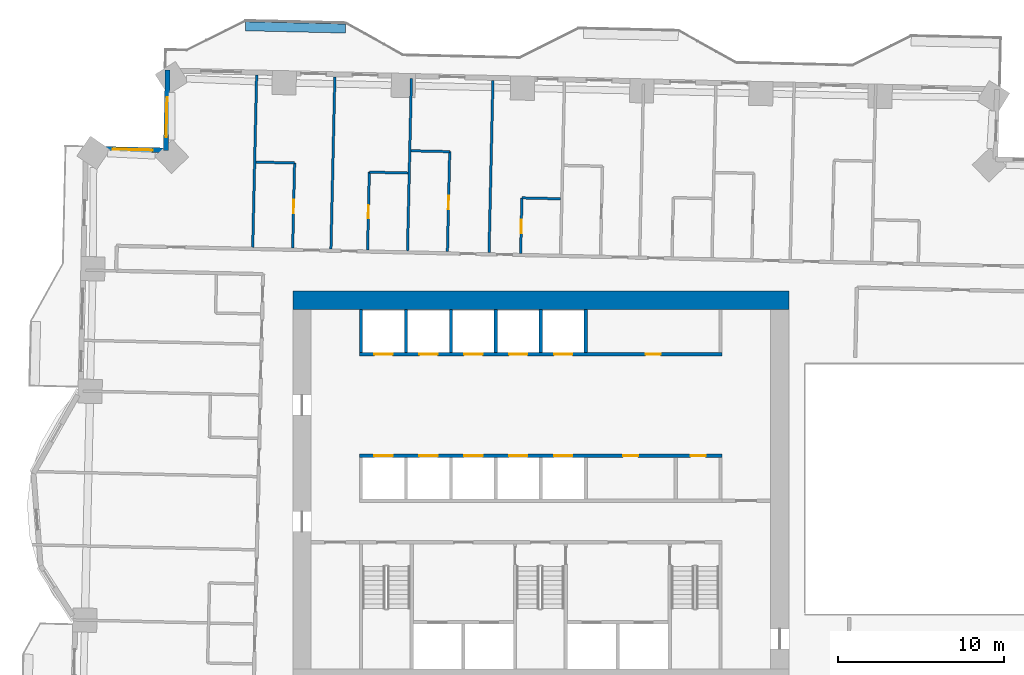
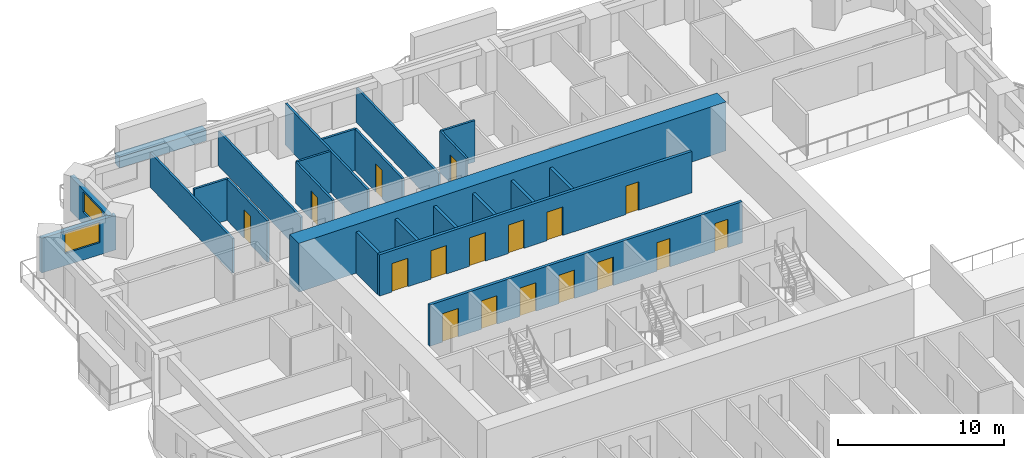
# One storey, part 11 of 18: 24 walls, 17 doors, 2 windows, 19 openings.
"""IFC4 building model written with IfcOpenShell, lengths in metres."""

from ifc_helpers import new_model, si_unit, direction, frame, frame_2d, origin, place, context, subcontext, project, spatial, rectangle, extrude, material, layer, layer_set, type_object, element, fill, save


model = new_model("IFC4")

# Units and contexts
model_context = context("Model", 3, precision=1e-05, world=origin(), true_north=direction((0.0, 1.0)))
body_context = subcontext(model_context, "Body", "Model", "MODEL_VIEW")
ifc_project = project(units=[si_unit("LENGTHUNIT", "METRE"), si_unit("AREAUNIT", "SQUARE_METRE"), si_unit("VOLUMEUNIT", "CUBIC_METRE"), si_unit("PLANEANGLEUNIT", "RADIAN"), si_unit("MASSUNIT", "GRAM", prefix="KILO")], contexts=[model_context])

# Site, building, storey
site_placement = place(None, origin())
site = spatial("IfcSite", under=ifc_project, at=site_placement, CompositionType="ELEMENT")
building_placement = place(site_placement, origin())
building = spatial("IfcBuilding", under=site, at=building_placement, Name="Mangrove Gate Tower", CompositionType="ELEMENT")
storey_placement = place(building_placement, frame((0.0, 0.0, 71.10009765625)))
storey = spatial("IfcBuildingStorey", under=building, at=storey_placement, Name="L17", CompositionType="ELEMENT", Elevation=71.10009765625)

# Wall, openings, doors
ifc_material_1 = material(Name="Concrete C70/85", Category="concrete")
ifc_layer_1 = layer(ifc_material_1, 0.199951171875)
ifc_layer_set_1 = layer_set([ifc_layer_1], Name="Core shaft wall 200 C70/85")
wall_type_1 = type_object("IfcWallType", Name="Core shaft wall 200 C70/85", PredefinedType="SHEAR", material=ifc_layer_set_1)
wall_1_placement = place(storey_placement, frame((-10.89990234375, 2.0, 0.0), z_axis=(0.0, 0.0, 1.0), x_axis=(1.0, 0.0, 0.0)))
wall_1 = element("IfcWall", 1, at=wall_1_placement, inside=storey, type_object=wall_type_1, Name="WALL-L17-CORE-7", PredefinedType="SHEAR", context=body_context, shape_type="SweptSolid", body=[
    extrude(rectangle(XDim=21.7998046875, YDim=0.199951171875, at=frame_2d((10.89990234375, 0.0))), origin(), (0.0, 0.0, 1.0), 3.0498046875),
])
opening_1_placement = place(wall_1_placement, frame((0.89990234375, 0.0, 0.0)))
opening_1 = element("IfcOpeningElement", 2, at=opening_1_placement, cuts=wall_1, Name="Opening LD", PredefinedType="OPENING", context=body_context, shape_type="SweptSolid", body=[
    extrude(rectangle(XDim=1.10009765625, YDim=2.10009765625, at=frame_2d((0.550048828125, 1.050048828125))), frame((0.0, 0.10986328125, 0.0), z_axis=(0.0, -1.0, 0.0), x_axis=(1.0, 0.0, 0.0)), (0.0, 0.0, 1.0), 0.219970703125),
])
opening_2_placement = place(wall_1_placement, frame((3.60009765625, 0.0, 0.0)))
opening_2 = element("IfcOpeningElement", 3, at=opening_2_placement, cuts=wall_1, Name="Opening LD", PredefinedType="OPENING", context=body_context, shape_type="SweptSolid", body=[
    extrude(rectangle(XDim=1.10009765625, YDim=2.10009765625, at=frame_2d((0.550048828125, 1.050048828125))), frame((0.0, 0.10986328125, 0.0), z_axis=(0.0, -1.0, 0.0), x_axis=(1.0, 0.0, 0.0)), (0.0, 0.0, 1.0), 0.219970703125),
])
opening_3_placement = place(wall_1_placement, frame((6.300048828125, 0.0, 0.0)))
opening_3 = element("IfcOpeningElement", 4, at=opening_3_placement, cuts=wall_1, Name="Opening LD", PredefinedType="OPENING", context=body_context, shape_type="SweptSolid", body=[
    extrude(rectangle(XDim=1.10009765625, YDim=2.10009765625, at=frame_2d((0.550048828125, 1.050048828125))), frame((0.0, 0.10986328125, 0.0), z_axis=(0.0, -1.0, 0.0), x_axis=(1.0, 0.0, 0.0)), (0.0, 0.0, 1.0), 0.219970703125),
])
opening_4_placement = place(wall_1_placement, frame((9.0, 0.0, 0.0)))
opening_4 = element("IfcOpeningElement", 5, at=opening_4_placement, cuts=wall_1, Name="Opening LD", PredefinedType="OPENING", context=body_context, shape_type="SweptSolid", body=[
    extrude(rectangle(XDim=1.10009765625, YDim=2.10009765625, at=frame_2d((0.550048828125, 1.050048828125))), frame((0.0, 0.10986328125, 0.0), z_axis=(0.0, -1.0, 0.0), x_axis=(1.0, 0.0, 0.0)), (0.0, 0.0, 1.0), 0.219970703125),
])
opening_5_placement = place(wall_1_placement, frame((11.699951171875, 0.0, 0.0)))
opening_5 = element("IfcOpeningElement", 6, at=opening_5_placement, cuts=wall_1, Name="Opening LD", PredefinedType="OPENING", context=body_context, shape_type="SweptSolid", body=[
    extrude(rectangle(XDim=1.10009765625, YDim=2.10009765625, at=frame_2d((0.550048828125, 1.050048828125))), frame((0.0, 0.10986328125, 0.0), z_axis=(0.0, -1.0, 0.0), x_axis=(1.0, 0.0, 0.0)), (0.0, 0.0, 1.0), 0.219970703125),
])
opening_6_placement = place(wall_1_placement, frame((15.85009765625, 0.0, 0.0)))
opening_6 = element("IfcOpeningElement", 7, at=opening_6_placement, cuts=wall_1, Name="Opening KD", PredefinedType="OPENING", context=body_context, shape_type="SweptSolid", body=[
    extrude(rectangle(XDim=0.89990234375, YDim=2.10009765625, at=frame_2d((0.449951171875, 1.050048828125))), frame((0.0, 0.10986328125, 0.0), z_axis=(0.0, -1.0, 0.0), x_axis=(1.0, 0.0, 0.0)), (0.0, 0.0, 1.0), 0.219970703125),
])
opening_7_placement = place(wall_1_placement, frame((19.89990234375, 0.0, 0.0)))
opening_7 = element("IfcOpeningElement", 8, at=opening_7_placement, cuts=wall_1, Name="Opening RD", PredefinedType="OPENING", context=body_context, shape_type="SweptSolid", body=[
    extrude(rectangle(XDim=0.89990234375, YDim=2.10009765625, at=frame_2d((0.449951171875, 1.050048828125))), frame((0.0, 0.10986328125, 0.0), z_axis=(0.0, -1.0, 0.0), x_axis=(1.0, 0.0, 0.0)), (0.0, 0.0, 1.0), 0.219970703125),
])
ifc_material_2 = material(Name="Fire-rated steel door set", Category="steel")
door_type_1 = type_object("IfcDoorType", Name="Core room door FD30S 900x2100", OperationType="SINGLE_SWING_RIGHT", PredefinedType="DOOR", material=ifc_material_2)
door_1_placement = place(opening_6_placement, origin())
door_1 = element("IfcDoor", 9, at=door_1_placement, inside=storey, type_object=door_type_1, Name="Core room door Linen store", OperationType="SINGLE_SWING_RIGHT", OverallHeight=2.10009765625, OverallWidth=0.89990234375, PredefinedType="DOOR", context=body_context, shape_type="SweptSolid", body=[
    extrude(rectangle(XDim=0.89990234375, YDim=2.10009765625, at=frame_2d((0.449951171875, 1.050048828125))), frame((0.0, 0.02490234375, 0.0), z_axis=(0.0, -1.0, 0.0), x_axis=(1.0, 0.0, 0.0)), (0.0, 0.0, 1.0), 0.050048828125),
])
fill(opening_6, door_1)
ifc_material_3 = material(Name="Stainless steel 316", Category="steel")
door_type_2 = type_object("IfcDoorType", Name="Lift landing door 1100x2100", OperationType="SLIDING_TO_LEFT", PredefinedType="DOOR", material=ifc_material_3)
door_2_placement = place(opening_1_placement, origin())
door_2 = element("IfcDoor", 10, at=door_2_placement, inside=storey, type_object=door_type_2, Name="Landing door LD P01", OperationType="SLIDING_TO_LEFT", OverallHeight=2.10009765625, OverallWidth=1.10009765625, PredefinedType="DOOR", context=body_context, shape_type="SweptSolid", body=[
    extrude(rectangle(XDim=1.10009765625, YDim=2.10009765625, at=frame_2d((0.550048828125, 1.050048828125))), frame((0.0, 0.02490234375, 0.0), z_axis=(0.0, -1.0, 0.0), x_axis=(1.0, 0.0, 0.0)), (0.0, 0.0, 1.0), 0.050048828125),
])
fill(opening_1, door_2)
door_3_placement = place(opening_2_placement, origin())
door_3 = element("IfcDoor", 11, at=door_3_placement, inside=storey, type_object=door_type_2, Name="Landing door LD P02", OperationType="SLIDING_TO_LEFT", OverallHeight=2.10009765625, OverallWidth=1.10009765625, PredefinedType="DOOR", context=body_context, shape_type="SweptSolid", body=[
    extrude(rectangle(XDim=1.10009765625, YDim=2.10009765625, at=frame_2d((0.550048828125, 1.050048828125))), frame((0.0, 0.02490234375, 0.0), z_axis=(0.0, -1.0, 0.0), x_axis=(1.0, 0.0, 0.0)), (0.0, 0.0, 1.0), 0.050048828125),
])
fill(opening_2, door_3)
door_4_placement = place(opening_3_placement, origin())
door_4 = element("IfcDoor", 12, at=door_4_placement, inside=storey, type_object=door_type_2, Name="Landing door LD P03", OperationType="SLIDING_TO_LEFT", OverallHeight=2.10009765625, OverallWidth=1.10009765625, PredefinedType="DOOR", context=body_context, shape_type="SweptSolid", body=[
    extrude(rectangle(XDim=1.10009765625, YDim=2.10009765625, at=frame_2d((0.550048828125, 1.050048828125))), frame((0.0, 0.02490234375, 0.0), z_axis=(0.0, -1.0, 0.0), x_axis=(1.0, 0.0, 0.0)), (0.0, 0.0, 1.0), 0.050048828125),
])
fill(opening_3, door_4)
door_5_placement = place(opening_4_placement, origin())
door_5 = element("IfcDoor", 13, at=door_5_placement, inside=storey, type_object=door_type_2, Name="Landing door LD P04", OperationType="SLIDING_TO_LEFT", OverallHeight=2.10009765625, OverallWidth=1.10009765625, PredefinedType="DOOR", context=body_context, shape_type="SweptSolid", body=[
    extrude(rectangle(XDim=1.10009765625, YDim=2.10009765625, at=frame_2d((0.550048828125, 1.050048828125))), frame((0.0, 0.02490234375, 0.0), z_axis=(0.0, -1.0, 0.0), x_axis=(1.0, 0.0, 0.0)), (0.0, 0.0, 1.0), 0.050048828125),
])
fill(opening_4, door_5)
door_6_placement = place(opening_5_placement, origin())
door_6 = element("IfcDoor", 14, at=door_6_placement, inside=storey, type_object=door_type_2, Name="Landing door LD P05", OperationType="SLIDING_TO_LEFT", OverallHeight=2.10009765625, OverallWidth=1.10009765625, PredefinedType="DOOR", context=body_context, shape_type="SweptSolid", body=[
    extrude(rectangle(XDim=1.10009765625, YDim=2.10009765625, at=frame_2d((0.550048828125, 1.050048828125))), frame((0.0, 0.02490234375, 0.0), z_axis=(0.0, -1.0, 0.0), x_axis=(1.0, 0.0, 0.0)), (0.0, 0.0, 1.0), 0.050048828125),
])
fill(opening_5, door_6)
ifc_material_4 = material(Name="Fire-rated steel door set", Category="steel")
door_type_3 = type_object("IfcDoorType", Name="Riser door FD30S 900x2100", OperationType="SINGLE_SWING_LEFT", PredefinedType="DOOR", material=ifc_material_4)
door_7_placement = place(opening_7_placement, origin())
door_7 = element("IfcDoor", 15, at=door_7_placement, inside=storey, type_object=door_type_3, Name="Riser door Switch room", OperationType="SINGLE_SWING_LEFT", OverallHeight=2.10009765625, OverallWidth=0.89990234375, PredefinedType="DOOR", context=body_context, shape_type="SweptSolid", body=[
    extrude(rectangle(XDim=0.89990234375, YDim=2.10009765625, at=frame_2d((0.449951171875, 1.050048828125))), frame((0.0, 0.02490234375, 0.0), z_axis=(0.0, -1.0, 0.0), x_axis=(1.0, 0.0, 0.0)), (0.0, 0.0, 1.0), 0.050048828125),
])
fill(opening_7, door_7)

wall_2_placement = place(storey_placement, frame((-10.89990234375, 8.10009765625, 0.0), z_axis=(0.0, 0.0, 1.0), x_axis=(1.0, 0.0, 0.0)))
wall_2 = element("IfcWall", 16, at=wall_2_placement, inside=storey, type_object=wall_type_1, Name="WALL-L17-CORE-8", PredefinedType="SHEAR", context=body_context, shape_type="SweptSolid", body=[
    extrude(rectangle(XDim=21.7998046875, YDim=0.199951171875, at=frame_2d((10.89990234375, 0.0))), origin(), (0.0, 0.0, 1.0), 3.0498046875),
])
opening_8_placement = place(wall_2_placement, frame((0.89990234375, 0.0, 0.0)))
opening_8 = element("IfcOpeningElement", 17, at=opening_8_placement, cuts=wall_2, Name="Opening LD", PredefinedType="OPENING", context=body_context, shape_type="SweptSolid", body=[
    extrude(rectangle(XDim=1.10009765625, YDim=2.10009765625, at=frame_2d((0.550048828125, 1.050048828125))), frame((0.0, 0.10986328125, 0.0), z_axis=(0.0, -1.0, 0.0), x_axis=(1.0, 0.0, 0.0)), (0.0, 0.0, 1.0), 0.219970703125),
])
opening_9_placement = place(wall_2_placement, frame((3.60009765625, 0.0, 0.0)))
opening_9 = element("IfcOpeningElement", 18, at=opening_9_placement, cuts=wall_2, Name="Opening LD", PredefinedType="OPENING", context=body_context, shape_type="SweptSolid", body=[
    extrude(rectangle(XDim=1.10009765625, YDim=2.10009765625, at=frame_2d((0.550048828125, 1.050048828125))), frame((0.0, 0.10986328125, 0.0), z_axis=(0.0, -1.0, 0.0), x_axis=(1.0, 0.0, 0.0)), (0.0, 0.0, 1.0), 0.219970703125),
])
opening_10_placement = place(wall_2_placement, frame((6.300048828125, 0.0, 0.0)))
opening_10 = element("IfcOpeningElement", 19, at=opening_10_placement, cuts=wall_2, Name="Opening LD", PredefinedType="OPENING", context=body_context, shape_type="SweptSolid", body=[
    extrude(rectangle(XDim=1.10009765625, YDim=2.10009765625, at=frame_2d((0.550048828125, 1.050048828125))), frame((0.0, 0.10986328125, 0.0), z_axis=(0.0, -1.0, 0.0), x_axis=(1.0, 0.0, 0.0)), (0.0, 0.0, 1.0), 0.219970703125),
])
opening_11_placement = place(wall_2_placement, frame((9.0, 0.0, 0.0)))
opening_11 = element("IfcOpeningElement", 20, at=opening_11_placement, cuts=wall_2, Name="Opening LD", PredefinedType="OPENING", context=body_context, shape_type="SweptSolid", body=[
    extrude(rectangle(XDim=1.10009765625, YDim=2.10009765625, at=frame_2d((0.550048828125, 1.050048828125))), frame((0.0, 0.10986328125, 0.0), z_axis=(0.0, -1.0, 0.0), x_axis=(1.0, 0.0, 0.0)), (0.0, 0.0, 1.0), 0.219970703125),
])
opening_12_placement = place(wall_2_placement, frame((11.699951171875, 0.0, 0.0)))
opening_12 = element("IfcOpeningElement", 21, at=opening_12_placement, cuts=wall_2, Name="Opening LD", PredefinedType="OPENING", context=body_context, shape_type="SweptSolid", body=[
    extrude(rectangle(XDim=1.10009765625, YDim=2.10009765625, at=frame_2d((0.550048828125, 1.050048828125))), frame((0.0, 0.10986328125, 0.0), z_axis=(0.0, -1.0, 0.0), x_axis=(1.0, 0.0, 0.0)), (0.0, 0.0, 1.0), 0.219970703125),
])
opening_13_placement = place(wall_2_placement, frame((17.199951171875, 0.0, 0.0)))
opening_13 = element("IfcOpeningElement", 22, at=opening_13_placement, cuts=wall_2, Name="Opening RD", PredefinedType="OPENING", context=body_context, shape_type="SweptSolid", body=[
    extrude(rectangle(XDim=0.89990234375, YDim=2.10009765625, at=frame_2d((0.449951171875, 1.050048828125))), frame((0.0, 0.10986328125, 0.0), z_axis=(0.0, -1.0, 0.0), x_axis=(1.0, 0.0, 0.0)), (0.0, 0.0, 1.0), 0.219970703125),
])
door_8_placement = place(opening_8_placement, origin())
door_8 = element("IfcDoor", 23, at=door_8_placement, inside=storey, type_object=door_type_2, Name="Landing door LD P06", OperationType="SLIDING_TO_LEFT", OverallHeight=2.10009765625, OverallWidth=1.10009765625, PredefinedType="DOOR", context=body_context, shape_type="SweptSolid", body=[
    extrude(rectangle(XDim=1.10009765625, YDim=2.10009765625, at=frame_2d((0.550048828125, 1.050048828125))), frame((0.0, 0.02490234375, 0.0), z_axis=(0.0, -1.0, 0.0), x_axis=(1.0, 0.0, 0.0)), (0.0, 0.0, 1.0), 0.050048828125),
])
fill(opening_8, door_8)
door_9_placement = place(opening_9_placement, origin())
door_9 = element("IfcDoor", 24, at=door_9_placement, inside=storey, type_object=door_type_2, Name="Landing door LD P07", OperationType="SLIDING_TO_LEFT", OverallHeight=2.10009765625, OverallWidth=1.10009765625, PredefinedType="DOOR", context=body_context, shape_type="SweptSolid", body=[
    extrude(rectangle(XDim=1.10009765625, YDim=2.10009765625, at=frame_2d((0.550048828125, 1.050048828125))), frame((0.0, 0.02490234375, 0.0), z_axis=(0.0, -1.0, 0.0), x_axis=(1.0, 0.0, 0.0)), (0.0, 0.0, 1.0), 0.050048828125),
])
fill(opening_9, door_9)
door_10_placement = place(opening_10_placement, origin())
door_10 = element("IfcDoor", 25, at=door_10_placement, inside=storey, type_object=door_type_2, Name="Landing door LD P08", OperationType="SLIDING_TO_LEFT", OverallHeight=2.10009765625, OverallWidth=1.10009765625, PredefinedType="DOOR", context=body_context, shape_type="SweptSolid", body=[
    extrude(rectangle(XDim=1.10009765625, YDim=2.10009765625, at=frame_2d((0.550048828125, 1.050048828125))), frame((0.0, 0.02490234375, 0.0), z_axis=(0.0, -1.0, 0.0), x_axis=(1.0, 0.0, 0.0)), (0.0, 0.0, 1.0), 0.050048828125),
])
fill(opening_10, door_10)
door_11_placement = place(opening_11_placement, origin())
door_11 = element("IfcDoor", 26, at=door_11_placement, inside=storey, type_object=door_type_2, Name="Landing door LD P09", OperationType="SLIDING_TO_LEFT", OverallHeight=2.10009765625, OverallWidth=1.10009765625, PredefinedType="DOOR", context=body_context, shape_type="SweptSolid", body=[
    extrude(rectangle(XDim=1.10009765625, YDim=2.10009765625, at=frame_2d((0.550048828125, 1.050048828125))), frame((0.0, 0.02490234375, 0.0), z_axis=(0.0, -1.0, 0.0), x_axis=(1.0, 0.0, 0.0)), (0.0, 0.0, 1.0), 0.050048828125),
])
fill(opening_11, door_11)
door_12_placement = place(opening_12_placement, origin())
door_12 = element("IfcDoor", 27, at=door_12_placement, inside=storey, type_object=door_type_2, Name="Landing door LD P10", OperationType="SLIDING_TO_LEFT", OverallHeight=2.10009765625, OverallWidth=1.10009765625, PredefinedType="DOOR", context=body_context, shape_type="SweptSolid", body=[
    extrude(rectangle(XDim=1.10009765625, YDim=2.10009765625, at=frame_2d((0.550048828125, 1.050048828125))), frame((0.0, 0.02490234375, 0.0), z_axis=(0.0, -1.0, 0.0), x_axis=(1.0, 0.0, 0.0)), (0.0, 0.0, 1.0), 0.050048828125),
])
fill(opening_12, door_12)
door_13_placement = place(opening_13_placement, origin())
door_13 = element("IfcDoor", 28, at=door_13_placement, inside=storey, type_object=door_type_3, Name="Riser door Comms room", OperationType="SINGLE_SWING_LEFT", OverallHeight=2.10009765625, OverallWidth=0.89990234375, PredefinedType="DOOR", context=body_context, shape_type="SweptSolid", body=[
    extrude(rectangle(XDim=0.89990234375, YDim=2.10009765625, at=frame_2d((0.449951171875, 1.050048828125))), frame((0.0, 0.02490234375, 0.0), z_axis=(0.0, -1.0, 0.0), x_axis=(1.0, 0.0, 0.0)), (0.0, 0.0, 1.0), 0.050048828125),
])
fill(opening_13, door_13)

# Walls
for number, where, z_axis, x_axis, name in (
    (29, (-10.800048828125, 8.199951171875, 0.0), (0.0, 0.0, 1.0), (0.0, 1.0, 0.0), "WALL-L17-CORE-27"),
    (30, (-8.10009765625, 8.199951171875, 0.0), (0.0, 0.0, 1.0), (0.0, 1.0, 0.0), "WALL-L17-CORE-28"),
    (31, (-5.39990234375, 8.199951171875, 0.0), (0.0, 0.0, 1.0), (0.0, 1.0, 0.0), "WALL-L17-CORE-29"),
    (32, (-2.699951171875, 8.199951171875, 0.0), (0.0, 0.0, 1.0), (0.0, 1.0, 0.0), "WALL-L17-CORE-30"),
    (33, (0.0, 8.199951171875, 0.0), (0.0, 0.0, 1.0), (0.0, 1.0, 0.0), "WALL-L17-CORE-31"),
    (34, (2.699951171875, 8.199951171875, 0.0), (0.0, 0.0, 1.0), (0.0, 1.0, 0.0), "WALL-L17-CORE-32"),
):
    element("IfcWall", number, at=place(storey_placement, frame(where, z_axis=z_axis, x_axis=x_axis)), inside=storey, type_object=wall_type_1, Name=name, PredefinedType="SHEAR", context=body_context, shape_type="SweptSolid", body=[
        extrude(rectangle(XDim=2.60009765625, YDim=0.199951171875, at=frame_2d((1.300048828125, 0.0))), origin(), (0.0, 0.0, 1.0), 3.0498046875),
    ])
ifc_material_5 = material(Name="Concrete C70/85", Category="concrete")
ifc_layer_2 = layer(ifc_material_5, 1.10009765625)
ifc_layer_set_2 = layer_set([ifc_layer_2], Name="Core wall 1100 C70/85")
wall_type_2 = type_object("IfcWallType", Name="Core wall 1100 C70/85", PredefinedType="SHEAR", material=ifc_layer_set_2)
wall_3_placement = place(storey_placement, frame((-14.89990234375, 11.35009765625, 0.0), z_axis=(0.0, 0.0, 1.0), x_axis=(1.0, 0.0, 0.0)))
element("IfcWall", 35, at=wall_3_placement, inside=storey, type_object=wall_type_2, Name="WALL-L17-CORE-2", PredefinedType="SHEAR", context=body_context, shape_type="SweptSolid", body=[
    extrude(rectangle(XDim=29.7998046875, YDim=1.10009765625, at=frame_2d((14.89990234375, 0.0))), origin(), (0.0, 0.0, 1.0), 3.599853515625),
])

# Wall, opening, window
ifc_material_6 = material(Name="Limestone", Category="masonry")
ifc_layer_3 = layer(ifc_material_6, 0.0400390625, Name="Limestone cladding")
ifc_material_7 = material(Name="Ventilated air gap")
ifc_layer_4 = layer(ifc_material_7, 0.0400390625, Name="Ventilated cavity")
ifc_material_8 = material(Name="Mineral wool insulation")
ifc_layer_5 = layer(ifc_material_8, 0.06005859375, Name="Insulation")
ifc_material_9 = material(Name="Breather membrane")
ifc_layer_6 = layer(ifc_material_9, 0.001953125, Name="Breather membrane")
ifc_material_10 = material(Name="Concrete C20/25 blockwork", Category="masonry")
ifc_layer_7 = layer(ifc_material_10, 0.14990234375, Name="Blockwork backing wall")
ifc_material_11 = material(Name="Gypsum plaster")
ifc_layer_8 = layer(ifc_material_11, 0.008056640625, Name="Internal plaster")
ifc_layer_set_3 = layer_set([ifc_layer_3, ifc_layer_4, ifc_layer_5, ifc_layer_6, ifc_layer_7, ifc_layer_8], Name="External wall 300 limestone cladding")
wall_type_3 = type_object("IfcWallType", Name="External wall 300 limestone cladding", PredefinedType="SOLIDWALL", material=ifc_layer_set_3)
wall_4_placement = place(storey_placement, frame((-22.4150390625, 25.18310546875, 0.0), z_axis=(0.0, 0.0, 1.0), x_axis=(-0.022739771436, -0.999741417965, 0.0)))
wall_4 = element("IfcWall", 36, at=wall_4_placement, inside=storey, type_object=wall_type_3, Name="WALL-L17-W6s1", PredefinedType="SOLIDWALL", context=body_context, shape_type="SweptSolid", body=[
    extrude(rectangle(XDim=4.831298828125, YDim=0.300048828125, at=frame_2d((2.41552734375, 0.0))), origin(), (0.0, 0.0, 1.0), 2.5498046875),
])
opening_14_placement = place(wall_4_placement, frame((1.62890625, 0.0, 0.89990234375)))
opening_14 = element("IfcOpeningElement", 37, at=opening_14_placement, cuts=wall_4, Name="Opening W2", PredefinedType="OPENING", context=body_context, shape_type="SweptSolid", body=[
    extrude(rectangle(XDim=2.39990234375, YDim=1.5, at=frame_2d((1.199951171875, 0.75))), frame((0.0, 0.159912109375, 0.0), z_axis=(0.0, -1.0, 0.0), x_axis=(1.0, 0.0, 0.0)), (0.0, 0.0, 1.0), 0.320068359375),
])
ifc_material_12 = material(Name="Aluminium frame with double-glazed low-e glass", Category="aluminium")
window_type = type_object("IfcWindowType", Name="Corner room window 2400x1500", PartitioningType="DOUBLE_PANEL_VERTICAL", PredefinedType="WINDOW", material=ifc_material_12)
window_1_placement = place(opening_14_placement, origin())
window_1 = element("IfcWindow", 38, at=window_1_placement, inside=storey, type_object=window_type, Name="WIN-L17-W6-1", OverallHeight=1.5, OverallWidth=2.39990234375, PartitioningType="DOUBLE_PANEL_VERTICAL", PredefinedType="WINDOW", context=body_context, shape_type="SweptSolid", body=[
    extrude(rectangle(XDim=2.39990234375, YDim=1.5, at=frame_2d((1.199951171875, 0.75))), frame((0.0, 0.030029296875, 0.0), z_axis=(0.0, -1.0, 0.0), x_axis=(1.0, 0.0, 0.0)), (0.0, 0.0, 1.0), 0.06005859375),
])
fill(opening_14, window_1)

wall_5_placement = place(storey_placement, frame((-22.215087890625, 20.345947265625, 0.0), z_axis=(0.0, 0.0, 1.0), x_axis=(-0.999742476424, 0.022693189157, 0.0)))
wall_5 = element("IfcWall", 39, at=wall_5_placement, inside=storey, type_object=wall_type_3, Name="WALL-L17-N7s1", PredefinedType="SOLIDWALL", context=body_context, shape_type="SweptSolid", body=[
    extrude(rectangle(XDim=5.110107421875, YDim=0.300048828125, at=frame_2d((2.55517578125, 0.0))), origin(), (0.0, 0.0, 1.0), 2.5498046875),
])
opening_15_placement = place(wall_5_placement, frame((1.112060546875, 0.0, 0.89990234375)))
opening_15 = element("IfcOpeningElement", 40, at=opening_15_placement, cuts=wall_5, Name="Opening W2", PredefinedType="OPENING", context=body_context, shape_type="SweptSolid", body=[
    extrude(rectangle(XDim=2.39990234375, YDim=1.5, at=frame_2d((1.199951171875, 0.75))), frame((0.0, 0.159912109375, 0.0), z_axis=(0.0, -1.0, 0.0), x_axis=(1.0, 0.0, 0.0)), (0.0, 0.0, 1.0), 0.320068359375),
])
window_2_placement = place(opening_15_placement, origin())
window_2 = element("IfcWindow", 41, at=window_2_placement, inside=storey, type_object=window_type, Name="WIN-L17-N7-1", OverallHeight=1.5, OverallWidth=2.39990234375, PartitioningType="DOUBLE_PANEL_VERTICAL", PredefinedType="WINDOW", context=body_context, shape_type="SweptSolid", body=[
    extrude(rectangle(XDim=2.39990234375, YDim=1.5, at=frame_2d((1.199951171875, 0.75))), frame((0.0, 0.030029296875, 0.0), z_axis=(0.0, -1.0, 0.0), x_axis=(1.0, 0.0, 0.0)), (0.0, 0.0, 1.0), 0.06005859375),
])
fill(opening_15, window_2)

# Wall
ifc_material_13 = material(Name="Gypsum board on steel stud, EI 60", Category="steel")
ifc_layer_9 = layer(ifc_material_13, 0.14990234375)
ifc_layer_set_4 = layer_set([ifc_layer_9], Name="Party wall 150 EI 60")
wall_type_4 = type_object("IfcWallType", Name="Party wall 150 EI 60", PredefinedType="PARTITIONING", material=ifc_layer_set_4)
wall_6_placement = place(storey_placement, frame((-17.30810546875, 14.532958984375, 0.0), z_axis=(0.0, 0.0, 1.0), x_axis=(0.022713904397, 0.999742005993, 0.0)))
element("IfcWall", 42, at=wall_6_placement, inside=storey, type_object=wall_type_4, Name="WALL-L17-060", PredefinedType="PARTITIONING", context=body_context, shape_type="SweptSolid", body=[
    extrude(rectangle(XDim=10.350830078125, YDim=0.14990234375, at=frame_2d((5.17529296875, 0.0))), origin(), (0.0, 0.0, 1.0), 2.5498046875),
])

# Wall, opening, door
wall_7_placement = place(storey_placement, frame((-14.907958984375, 14.47900390625, 0.0), z_axis=(0.0, 0.0, 1.0), x_axis=(0.02265315592, 0.999743384338, 0.0)))
wall_7 = element("IfcWall", 43, at=wall_7_placement, inside=storey, type_object=wall_type_4, Name="WALL-L17-061", PredefinedType="PARTITIONING", context=body_context, shape_type="SweptSolid", body=[
    extrude(rectangle(XDim=5.119140625, YDim=0.14990234375, at=frame_2d((2.5595703125, 0.0))), origin(), (0.0, 0.0, 1.0), 3.0498046875),
])
opening_16_placement = place(wall_7_placement, frame((2.110107421875, 0.0, 0.0)))
opening_16 = element("IfcOpeningElement", 44, at=opening_16_placement, cuts=wall_7, Name="Opening ED", PredefinedType="OPENING", context=body_context, shape_type="SweptSolid", body=[
    extrude(rectangle(XDim=0.800048828125, YDim=2.10009765625, at=frame_2d((0.39990234375, 1.050048828125))), frame((0.0, 0.0849609375, 0.0), z_axis=(0.0, -1.0, 0.0), x_axis=(1.0, 0.0, 0.0)), (0.0, 0.0, 1.0), 0.169921875),
])
ifc_material_14 = material(Name="Timber door leaf", Category="wood")
door_type_4 = type_object("IfcDoorType", Name="En-suite door 800", OperationType="SINGLE_SWING_LEFT", PredefinedType="DOOR", material=ifc_material_14)
door_14_placement = place(opening_16_placement, origin())
door_14 = element("IfcDoor", 45, at=door_14_placement, inside=storey, type_object=door_type_4, Name="DOOR-L17-ENS-c517", OperationType="SINGLE_SWING_LEFT", OverallHeight=2.10009765625, OverallWidth=0.800048828125, PredefinedType="DOOR", context=body_context, shape_type="SweptSolid", body=[
    extrude(rectangle(XDim=0.800048828125, YDim=2.10009765625, at=frame_2d((0.39990234375, 1.050048828125))), frame((0.0, 0.02490234375, 0.0), z_axis=(0.0, -1.0, 0.0), x_axis=(1.0, 0.0, 0.0)), (0.0, 0.0, 1.0), 0.050048828125),
])
fill(opening_16, door_14)

# Wall
wall_8_placement = place(storey_placement, frame((-12.60888671875, 14.427001953125, 0.0), z_axis=(0.0, 0.0, 1.0), x_axis=(0.022693005506, 0.999742480592, 0.0)))
element("IfcWall", 46, at=wall_8_placement, inside=storey, type_object=wall_type_4, Name="WALL-L17-062", PredefinedType="PARTITIONING", context=body_context, shape_type="SweptSolid", body=[
    extrude(rectangle(XDim=10.349609375, YDim=0.14990234375, at=frame_2d((5.1748046875, 0.0))), origin(), (0.0, 0.0, 1.0), 2.5498046875),
])

# Wall, opening, door
wall_9_placement = place(storey_placement, frame((-10.408935546875, 14.376953125, 0.0), z_axis=(0.0, 0.0, 1.0), x_axis=(0.022483854533, 0.99974720619, 0.0)))
wall_9 = element("IfcWall", 47, at=wall_9_placement, inside=storey, type_object=wall_type_4, Name="WALL-L17-063", PredefinedType="PARTITIONING", context=body_context, shape_type="SweptSolid", body=[
    extrude(rectangle(XDim=4.669189453125, YDim=0.14990234375, at=frame_2d((2.33447265625, 0.0))), origin(), (0.0, 0.0, 1.0), 3.0498046875),
])
opening_17_placement = place(wall_9_placement, frame((1.885009765625, 0.0, 0.0)))
opening_17 = element("IfcOpeningElement", 48, at=opening_17_placement, cuts=wall_9, Name="Opening ED", PredefinedType="OPENING", context=body_context, shape_type="SweptSolid", body=[
    extrude(rectangle(XDim=0.800048828125, YDim=2.10009765625, at=frame_2d((0.39990234375, 1.050048828125))), frame((0.0, 0.0849609375, 0.0), z_axis=(0.0, -1.0, 0.0), x_axis=(1.0, 0.0, 0.0)), (0.0, 0.0, 1.0), 0.169921875),
])
door_15_placement = place(opening_17_placement, origin())
door_15 = element("IfcDoor", 49, at=door_15_placement, inside=storey, type_object=door_type_4, Name="DOOR-L17-ENS-c516", OperationType="SINGLE_SWING_RIGHT", OverallHeight=2.10009765625, OverallWidth=0.800048828125, PredefinedType="DOOR", context=body_context, shape_type="SweptSolid", body=[
    extrude(rectangle(XDim=0.800048828125, YDim=2.10009765625, at=frame_2d((0.39990234375, 1.050048828125))), frame((0.0, 0.02490234375, 0.0), z_axis=(0.0, -1.0, 0.0), x_axis=(1.0, 0.0, 0.0)), (0.0, 0.0, 1.0), 0.050048828125),
])
fill(opening_17, door_15)

# Wall
wall_10_placement = place(storey_placement, frame((-8.010009765625, 14.322021484375, 0.0), z_axis=(0.0, 0.0, 1.0), x_axis=(0.022714440015, 0.999741993824, 0.0)))
element("IfcWall", 50, at=wall_10_placement, inside=storey, type_object=wall_type_4, Name="WALL-L17-064", PredefinedType="PARTITIONING", context=body_context, shape_type="SweptSolid", body=[
    extrude(rectangle(XDim=10.3505859375, YDim=0.14990234375, at=frame_2d((5.17529296875, 0.0))), origin(), (0.0, 0.0, 1.0), 3.0498046875),
])

# Wall, opening, door
wall_11_placement = place(storey_placement, frame((-5.611083984375, 14.26806640625, 0.0), z_axis=(0.0, 0.0, 1.0), x_axis=(0.022791542349, 0.999740239061, 0.0)))
wall_11 = element("IfcWall", 51, at=wall_11_placement, inside=storey, type_object=wall_type_4, Name="WALL-L17-065", PredefinedType="PARTITIONING", context=body_context, shape_type="SweptSolid", body=[
    extrude(rectangle(XDim=6.00927734375, YDim=0.14990234375, at=frame_2d((3.004638671875, 0.0))), origin(), (0.0, 0.0, 1.0), 3.0498046875),
])
opening_18_placement = place(wall_11_placement, frame((2.554931640625, 0.0, 0.0)))
opening_18 = element("IfcOpeningElement", 52, at=opening_18_placement, cuts=wall_11, Name="Opening ED", PredefinedType="OPENING", context=body_context, shape_type="SweptSolid", body=[
    extrude(rectangle(XDim=0.800048828125, YDim=2.10009765625, at=frame_2d((0.39990234375, 1.050048828125))), frame((0.0, 0.0849609375, 0.0), z_axis=(0.0, -1.0, 0.0), x_axis=(1.0, 0.0, 0.0)), (0.0, 0.0, 1.0), 0.169921875),
])
door_16_placement = place(opening_18_placement, origin())
door_16 = element("IfcDoor", 53, at=door_16_placement, inside=storey, type_object=door_type_4, Name="DOOR-L17-ENS-c515", OperationType="SINGLE_SWING_LEFT", OverallHeight=2.10009765625, OverallWidth=0.800048828125, PredefinedType="DOOR", context=body_context, shape_type="SweptSolid", body=[
    extrude(rectangle(XDim=0.800048828125, YDim=2.10009765625, at=frame_2d((0.39990234375, 1.050048828125))), frame((0.0, 0.02490234375, 0.0), z_axis=(0.0, -1.0, 0.0), x_axis=(1.0, 0.0, 0.0)), (0.0, 0.0, 1.0), 0.050048828125),
])
fill(opening_18, door_16)

# Wall
wall_12_placement = place(storey_placement, frame((-3.111083984375, 14.2109375, 0.0), z_axis=(0.0, 0.0, 1.0), x_axis=(0.022621740073, 0.999744095695, 0.0)))
element("IfcWall", 54, at=wall_12_placement, inside=storey, type_object=wall_type_4, Name="WALL-L17-066", PredefinedType="PARTITIONING", context=body_context, shape_type="SweptSolid", body=[
    extrude(rectangle(XDim=10.349853515625, YDim=0.14990234375, at=frame_2d((5.1748046875, 0.0))), origin(), (0.0, 0.0, 1.0), 2.5498046875),
])

# Wall, opening, door
wall_13_placement = place(storey_placement, frame((-1.2119140625, 14.16796875, 0.0), z_axis=(0.0, 0.0, 1.0), x_axis=(0.022801345323, 0.99974001553, 0.0)))
wall_13 = element("IfcWall", 55, at=wall_13_placement, inside=storey, type_object=wall_type_4, Name="WALL-L17-067", PredefinedType="PARTITIONING", context=body_context, shape_type="SweptSolid", body=[
    extrude(rectangle(XDim=3.330078125, YDim=0.14990234375, at=frame_2d((1.6650390625, 0.0))), origin(), (0.0, 0.0, 1.0), 3.0498046875),
])
opening_19_placement = place(wall_13_placement, frame((1.215087890625, 0.0, 0.0)))
opening_19 = element("IfcOpeningElement", 56, at=opening_19_placement, cuts=wall_13, Name="Opening ED", PredefinedType="OPENING", context=body_context, shape_type="SweptSolid", body=[
    extrude(rectangle(XDim=0.800048828125, YDim=2.10009765625, at=frame_2d((0.39990234375, 1.050048828125))), frame((0.0, 0.0849609375, 0.0), z_axis=(0.0, -1.0, 0.0), x_axis=(1.0, 0.0, 0.0)), (0.0, 0.0, 1.0), 0.169921875),
])
door_17_placement = place(opening_19_placement, origin())
door_17 = element("IfcDoor", 57, at=door_17_placement, inside=storey, type_object=door_type_4, Name="DOOR-L17-ENS-c414", OperationType="SINGLE_SWING_RIGHT", OverallHeight=2.10009765625, OverallWidth=0.800048828125, PredefinedType="DOOR", context=body_context, shape_type="SweptSolid", body=[
    extrude(rectangle(XDim=0.800048828125, YDim=2.10009765625, at=frame_2d((0.39990234375, 1.050048828125))), frame((0.0, 0.02490234375, 0.0), z_axis=(0.0, -1.0, 0.0), x_axis=(1.0, 0.0, 0.0)), (0.0, 0.0, 1.0), 0.050048828125),
])
fill(opening_19, door_17)

# Walls
wall_14_placement = place(storey_placement, frame((-1.134033203125, 17.4970703125, 0.0), z_axis=(0.0, 0.0, 1.0), x_axis=(0.999740260747, -0.02279059109, 0.0)))
element("IfcWall", 58, at=wall_14_placement, inside=storey, type_object=wall_type_4, Name="WALL-L17-079", PredefinedType="PARTITIONING", context=body_context, shape_type="SweptSolid", body=[
    extrude(rectangle(XDim=2.324462890625, YDim=0.14990234375, at=frame_2d((1.162109375, 0.0))), origin(), (0.0, 0.0, 1.0), 3.0498046875),
])
for number, where, z_axis, x_axis, name in (
    (59, (-10.302001953125, 19.044921875, 0.0), (0.0, 0.0, 1.0), (0.999749954681, -0.022361308448, 0.0), "WALL-L17-081"),
    (60, (-17.114990234375, 19.64990234375, 0.0), (0.0, 0.0, 1.0), (0.999740478815, -0.022781023197, 0.0), "WALL-L17-082"),
):
    element("IfcWall", number, at=place(storey_placement, frame(where, z_axis=z_axis, x_axis=x_axis)), inside=storey, type_object=wall_type_4, Name=name, PredefinedType="PARTITIONING", context=body_context, shape_type="SweptSolid", body=[
        extrude(rectangle(XDim=2.325439453125, YDim=0.14990234375, at=frame_2d((1.16259765625, 0.0))), origin(), (0.0, 0.0, 1.0), 3.0498046875),
    ])
wall_15_placement = place(storey_placement, frame((-7.797119140625, 20.3291015625, 0.0), z_axis=(0.0, 0.0, 1.0), x_axis=(0.999738137323, -0.022883548292, 0.0)))
element("IfcWall", 61, at=wall_15_placement, inside=storey, type_object=wall_type_4, Name="WALL-L17-085", PredefinedType="PARTITIONING", context=body_context, shape_type="SweptSolid", body=[
    extrude(rectangle(XDim=2.32568359375, YDim=0.14990234375, at=frame_2d((1.162841796875, 0.0))), origin(), (0.0, 0.0, 1.0), 3.0498046875),
])
ifc_material_15 = material(Name="Concrete C32/40", Category="concrete")
ifc_layer_10 = layer(ifc_material_15, 0.199951171875, Name="Planter trough wall")
ifc_material_16 = material(Name="Bituminous waterproofing membrane")
ifc_layer_11 = layer(ifc_material_16, 0.0048828125, Name="Waterproofing")
ifc_material_17 = material(Name="Drainage board and gravel")
ifc_layer_12 = layer(ifc_material_17, 0.044921875, Name="Drainage layer")
ifc_material_18 = material(Name="Planting soil")
ifc_layer_13 = layer(ifc_material_18, 0.300048828125, Name="Growing medium")
ifc_layer_set_5 = layer_set([ifc_layer_10, ifc_layer_11, ifc_layer_12, ifc_layer_13], Name="Planter wall 550 C32/40")
wall_type_5 = type_object("IfcWallType", Name="Planter wall 550 C32/40", PredefinedType="USERDEFINED", material=ifc_layer_set_5)
wall_16_placement = place(storey_placement, frame((-17.736083984375, 27.81103515625, 0.0), z_axis=(0.0, 0.0, 1.0), x_axis=(0.999743094499, -0.022665943652, 0.0)))
element("IfcWall", 62, at=wall_16_placement, inside=storey, type_object=wall_type_5, Name="PLANTER L17 N1.1", ObjectType="PLANTER", PredefinedType="USERDEFINED", context=body_context, shape_type="SweptSolid", body=[
    extrude(rectangle(XDim=5.99951171875, YDim=0.550048828125, at=frame_2d((2.999755859375, 0.0))), origin(), (0.0, 0.0, 1.0), 0.7998046875),
])

save(model, "model.ifc")
